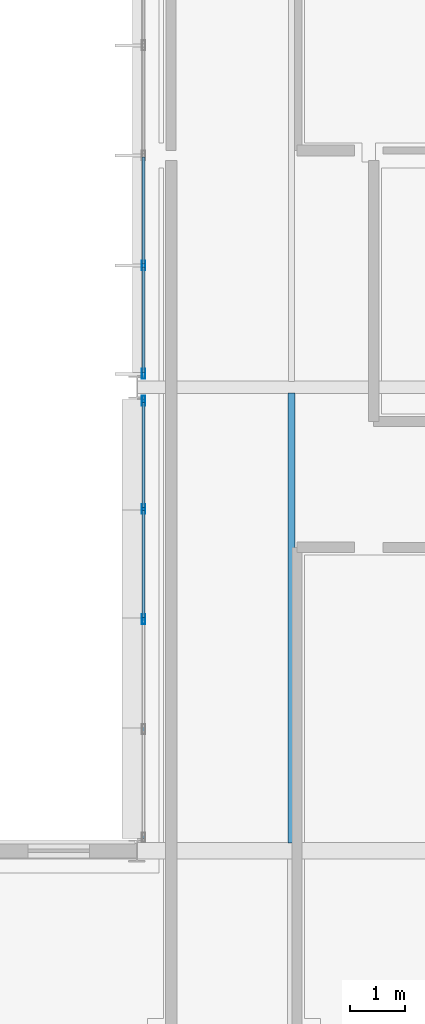
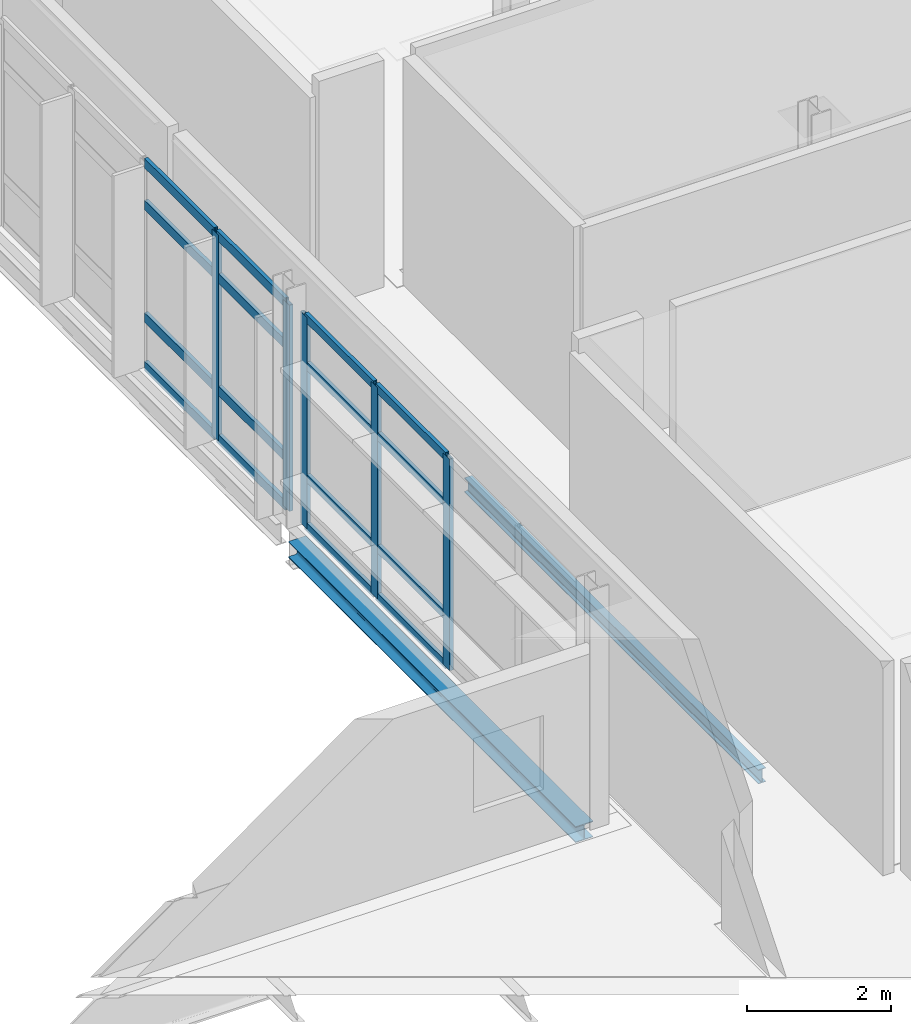
# One storey, part 67 of 151: 21 members, 2 beams, 2 elements without a shape of their own.
"""IFC4 building model written with IfcOpenShell, lengths in metres."""

from ifc_helpers import new_model, si_unit, direction, frame, origin, origin_2d, place, context, subcontext, project, spatial, hollow_rectangle, i_section, extrude, material, material_profile, profile_set, type_object, element, aggregate, save


model = new_model("IFC4")

# Units and contexts
model_context = context("Model", 3, precision=1e-05, world=origin(), true_north=direction((0.0, 1.0)))
body_context = subcontext(model_context, "Body", "Model", "MODEL_VIEW")
ifc_project = project(units=[si_unit("LENGTHUNIT", "METRE"), si_unit("AREAUNIT", "SQUARE_METRE"), si_unit("VOLUMEUNIT", "CUBIC_METRE"), si_unit("PLANEANGLEUNIT", "RADIAN"), si_unit("MASSUNIT", "GRAM", prefix="KILO")], contexts=[model_context])

# Site, building, storey
site_placement = place(None, origin())
site = spatial("IfcSite", under=ifc_project, at=site_placement, CompositionType="ELEMENT")
building_placement = place(site_placement, origin())
building = spatial("IfcBuilding", under=site, at=building_placement, Name="Mersafa Astral City Hall", CompositionType="ELEMENT")
storey_placement = place(building_placement, frame((0.0, 0.0, 9.89990234375)))
storey = spatial("IfcBuildingStorey", under=building, at=storey_placement, Name="L02", CompositionType="ELEMENT", Elevation=9.89990234375)

# Curtain wall, members
ifc_material_1 = material(Name="Anodised bronze aluminium framing", Category="aluminium")
curtain_wall_type_1 = type_object("IfcCurtainWallType", Name="ENV-CW-5", PredefinedType="USERDEFINED", material=ifc_material_1)
curtain_wall_1_placement = place(storey_placement, origin())
curtain_wall_1 = element("IfcCurtainWall", 1, at=curtain_wall_1_placement, inside=storey, type_object=curtain_wall_type_1, Name="L02 Unitised solar curtain wall 142", ObjectType="UNITISED CURTAIN WALL", PredefinedType="USERDEFINED")
ifc_material_profile_1 = material_profile(ifc_material_1, hollow_rectangle(XDim=0.06005859375, YDim=0.179931640625, WallThickness=0.00390625, at=origin_2d()), Name="RHS 60x180x4")
ifc_profile_set_1 = profile_set([ifc_material_profile_1], Name="Anodised bronze aluminium framing")
member_type_1 = type_object("IfcMemberType", Name="ENV-CW-MUL-1", PredefinedType="MULLION", material=ifc_profile_set_1)
member_1_placement = place(storey_placement, frame((100.919921875, 103.006103515625, -0.001953125), z_axis=(0.0, 0.0, 1.0), x_axis=(1.0, 0.0, 0.0)))
member_1 = element("IfcMember", 2, at=member_1_placement, type_object=member_type_1, Name="CW-5 mullion 4", PredefinedType="MULLION", context=body_context, shape_type="SweptSolid", body=[
    extrude(hollow_rectangle(XDim=0.06005859375, YDim=0.179931640625, WallThickness=0.00390625, at=origin_2d()), origin(), (0.0, 0.0, 1.0), 3.489013671875),
])
member_2_placement = place(storey_placement, frame((100.919921875, 101.0419921875, -0.001953125), z_axis=(0.0, 0.0, 1.0), x_axis=(1.0, 0.0, 0.0)))
member_2 = element("IfcMember", 3, at=member_2_placement, type_object=member_type_1, Name="CW-5 mullion 5", PredefinedType="MULLION", context=body_context, shape_type="SweptSolid", body=[
    extrude(hollow_rectangle(XDim=0.06005859375, YDim=0.179931640625, WallThickness=0.00390625, at=origin_2d()), origin(), (0.0, 0.0, 1.0), 3.489013671875),
])

curtain_wall_type_2 = type_object("IfcCurtainWallType", Name="ENV-CW-6", PredefinedType="USERDEFINED", material=ifc_material_1)
curtain_wall_2_placement = place(storey_placement, origin())
curtain_wall_2 = element("IfcCurtainWall", 4, at=curtain_wall_2_placement, inside=storey, type_object=curtain_wall_type_2, Name="L02 Unitised solar curtain wall 143", ObjectType="UNITISED CURTAIN WALL", PredefinedType="USERDEFINED")
member_3_placement = place(storey_placement, frame((100.919921875, 100.55810546875, -0.001953125), z_axis=(0.0, 0.0, 1.0), x_axis=(1.0, 0.0, 0.0)))
member_3 = element("IfcMember", 5, at=member_3_placement, type_object=member_type_1, Name="CW-6 mullion 1", PredefinedType="MULLION", context=body_context, shape_type="SweptSolid", body=[
    extrude(hollow_rectangle(XDim=0.06005859375, YDim=0.179931640625, WallThickness=0.00390625, at=origin_2d()), origin(), (0.0, 0.0, 1.0), 3.5791015625),
])
member_4_placement = place(storey_placement, frame((100.919921875, 98.593994140625, -0.001953125), z_axis=(0.0, 0.0, 1.0), x_axis=(1.0, 0.0, 0.0)))
member_4 = element("IfcMember", 6, at=member_4_placement, type_object=member_type_1, Name="CW-6 mullion 2", PredefinedType="MULLION", context=body_context, shape_type="SweptSolid", body=[
    extrude(hollow_rectangle(XDim=0.06005859375, YDim=0.179931640625, WallThickness=0.00390625, at=origin_2d()), origin(), (0.0, 0.0, 1.0), 3.5791015625),
])
member_5_placement = place(storey_placement, frame((100.919921875, 96.60009765625, -0.001953125), z_axis=(0.0, 0.0, 1.0), x_axis=(1.0, 0.0, 0.0)))
member_5 = element("IfcMember", 7, at=member_5_placement, type_object=member_type_1, Name="CW-6 mullion 3", PredefinedType="MULLION", context=body_context, shape_type="SweptSolid", body=[
    extrude(hollow_rectangle(XDim=0.06005859375, YDim=0.179931640625, WallThickness=0.00390625, at=origin_2d()), origin(), (0.0, 0.0, 1.0), 3.5791015625),
])
ifc_material_profile_2 = material_profile(ifc_material_1, hollow_rectangle(XDim=0.06005859375, YDim=0.139892578125, WallThickness=0.00390625, at=origin_2d()), Name="RHS 60x140x4")
ifc_profile_set_2 = profile_set([ifc_material_profile_2], Name="Anodised bronze aluminium framing")
member_type_2 = type_object("IfcMemberType", Name="ENV-CW-TRN-1", PredefinedType="USERDEFINED", material=ifc_profile_set_2)
member_6_placement = place(storey_placement, frame((100.919921875, 100.528076171875, 0.028076171875), z_axis=(0.0, -1.0, 0.0), x_axis=(1.0, 0.0, 0.0)))
member_6 = element("IfcMember", 8, at=member_6_placement, type_object=member_type_2, Name="CW-6 transom 1.1", ObjectType="TRANSOM", PredefinedType="USERDEFINED", context=body_context, shape_type="SweptSolid", body=[
    extrude(hollow_rectangle(XDim=0.06005859375, YDim=0.139892578125, WallThickness=0.00390625, at=origin_2d()), origin(), (0.0, 0.0, 1.0), 1.904052734375),
])
member_7_placement = place(storey_placement, frame((100.919921875, 100.528076171875, 0.85009765625), z_axis=(0.0, -1.0, 0.0), x_axis=(1.0, 0.0, 0.0)))
member_7 = element("IfcMember", 9, at=member_7_placement, type_object=member_type_2, Name="CW-6 transom 1.2", ObjectType="TRANSOM", PredefinedType="USERDEFINED", context=body_context, shape_type="SweptSolid", body=[
    extrude(hollow_rectangle(XDim=0.06005859375, YDim=0.139892578125, WallThickness=0.00390625, at=origin_2d()), origin(), (0.0, 0.0, 1.0), 1.904052734375),
])
member_8_placement = place(storey_placement, frame((100.919921875, 100.528076171875, 2.75), z_axis=(0.0, -1.0, 0.0), x_axis=(1.0, 0.0, 0.0)))
member_8 = element("IfcMember", 10, at=member_8_placement, type_object=member_type_2, Name="CW-6 transom 1.3", ObjectType="TRANSOM", PredefinedType="USERDEFINED", context=body_context, shape_type="SweptSolid", body=[
    extrude(hollow_rectangle(XDim=0.06005859375, YDim=0.139892578125, WallThickness=0.00390625, at=origin_2d()), origin(), (0.0, 0.0, 1.0), 1.904052734375),
])
member_9_placement = place(storey_placement, frame((100.919921875, 100.528076171875, 3.547119140625), z_axis=(0.0, -1.0, 0.0), x_axis=(1.0, 0.0, 0.0)))
member_9 = element("IfcMember", 11, at=member_9_placement, type_object=member_type_2, Name="CW-6 transom 1.4", ObjectType="TRANSOM", PredefinedType="USERDEFINED", context=body_context, shape_type="SweptSolid", body=[
    extrude(hollow_rectangle(XDim=0.06005859375, YDim=0.139892578125, WallThickness=0.00390625, at=origin_2d()), origin(), (0.0, 0.0, 1.0), 1.904052734375),
])
member_10_placement = place(storey_placement, frame((100.919921875, 98.56396484375, 0.028076171875), z_axis=(0.0, -1.0, 0.0), x_axis=(1.0, 0.0, 0.0)))
member_10 = element("IfcMember", 12, at=member_10_placement, type_object=member_type_2, Name="CW-6 transom 2.1", ObjectType="TRANSOM", PredefinedType="USERDEFINED", context=body_context, shape_type="SweptSolid", body=[
    extrude(hollow_rectangle(XDim=0.06005859375, YDim=0.139892578125, WallThickness=0.00390625, at=origin_2d()), origin(), (0.0, 0.0, 1.0), 1.93408203125),
])
member_11_placement = place(storey_placement, frame((100.919921875, 98.56396484375, 0.85009765625), z_axis=(0.0, -1.0, 0.0), x_axis=(1.0, 0.0, 0.0)))
member_11 = element("IfcMember", 13, at=member_11_placement, type_object=member_type_2, Name="CW-6 transom 2.2", ObjectType="TRANSOM", PredefinedType="USERDEFINED", context=body_context, shape_type="SweptSolid", body=[
    extrude(hollow_rectangle(XDim=0.06005859375, YDim=0.139892578125, WallThickness=0.00390625, at=origin_2d()), origin(), (0.0, 0.0, 1.0), 1.93408203125),
])
member_12_placement = place(storey_placement, frame((100.919921875, 98.56396484375, 2.75), z_axis=(0.0, -1.0, 0.0), x_axis=(1.0, 0.0, 0.0)))
member_12 = element("IfcMember", 14, at=member_12_placement, type_object=member_type_2, Name="CW-6 transom 2.3", ObjectType="TRANSOM", PredefinedType="USERDEFINED", context=body_context, shape_type="SweptSolid", body=[
    extrude(hollow_rectangle(XDim=0.06005859375, YDim=0.139892578125, WallThickness=0.00390625, at=origin_2d()), origin(), (0.0, 0.0, 1.0), 1.93408203125),
])
member_13_placement = place(storey_placement, frame((100.919921875, 98.56396484375, 3.547119140625), z_axis=(0.0, -1.0, 0.0), x_axis=(1.0, 0.0, 0.0)))
member_13 = element("IfcMember", 15, at=member_13_placement, type_object=member_type_2, Name="CW-6 transom 2.4", ObjectType="TRANSOM", PredefinedType="USERDEFINED", context=body_context, shape_type="SweptSolid", body=[
    extrude(hollow_rectangle(XDim=0.06005859375, YDim=0.139892578125, WallThickness=0.00390625, at=origin_2d()), origin(), (0.0, 0.0, 1.0), 1.93408203125),
])
aggregate(curtain_wall_2, [member_3, member_4, member_5, member_6, member_7, member_8, member_9, member_10, member_11, member_12, member_13])

# Member
ifc_material_profile_3 = material_profile(ifc_material_1, hollow_rectangle(XDim=0.06005859375, YDim=0.159912109375, WallThickness=0.00390625, at=origin_2d()), Name="RHS 60x160x4")
ifc_profile_set_3 = profile_set([ifc_material_profile_3], Name="Anodised bronze aluminium framing")
member_type_3 = type_object("IfcMemberType", Name="ENV-CW-TRN-2", PredefinedType="USERDEFINED", material=ifc_profile_set_3)
member_14_placement = place(storey_placement, frame((100.919921875, 104.969970703125, 0.028076171875), z_axis=(0.0, -1.0, 0.0), x_axis=(1.0, 0.0, 0.0)))
member_14 = element("IfcMember", 16, at=member_14_placement, type_object=member_type_3, Name="CW-5 transom 3.1", ObjectType="TRANSOM", PredefinedType="USERDEFINED", context=body_context, shape_type="SweptSolid", body=[
    extrude(hollow_rectangle(XDim=0.06005859375, YDim=0.159912109375, WallThickness=0.00390625, at=origin_2d()), origin(), (0.0, 0.0, 1.0), 1.93408203125),
])

member_15_placement = place(storey_placement, frame((100.919921875, 104.969970703125, 0.85009765625), z_axis=(0.0, -1.0, 0.0), x_axis=(1.0, 0.0, 0.0)))
member_15 = element("IfcMember", 17, at=member_15_placement, type_object=member_type_3, Name="CW-5 transom 3.2", ObjectType="TRANSOM", PredefinedType="USERDEFINED", context=body_context, shape_type="SweptSolid", body=[
    extrude(hollow_rectangle(XDim=0.06005859375, YDim=0.159912109375, WallThickness=0.00390625, at=origin_2d()), origin(), (0.0, 0.0, 1.0), 1.93408203125),
])

member_16_placement = place(storey_placement, frame((100.919921875, 104.969970703125, 2.75), z_axis=(0.0, -1.0, 0.0), x_axis=(1.0, 0.0, 0.0)))
member_16 = element("IfcMember", 18, at=member_16_placement, type_object=member_type_3, Name="CW-5 transom 3.3", ObjectType="TRANSOM", PredefinedType="USERDEFINED", context=body_context, shape_type="SweptSolid", body=[
    extrude(hollow_rectangle(XDim=0.06005859375, YDim=0.159912109375, WallThickness=0.00390625, at=origin_2d()), origin(), (0.0, 0.0, 1.0), 1.93408203125),
])

member_17_placement = place(storey_placement, frame((100.919921875, 104.969970703125, 3.45703125), z_axis=(0.0, -1.0, 0.0), x_axis=(1.0, 0.0, 0.0)))
member_17 = element("IfcMember", 19, at=member_17_placement, type_object=member_type_3, Name="CW-5 transom 3.4", ObjectType="TRANSOM", PredefinedType="USERDEFINED", context=body_context, shape_type="SweptSolid", body=[
    extrude(hollow_rectangle(XDim=0.06005859375, YDim=0.159912109375, WallThickness=0.00390625, at=origin_2d()), origin(), (0.0, 0.0, 1.0), 1.93408203125),
])

member_18_placement = place(storey_placement, frame((100.919921875, 102.97607421875, 0.028076171875), z_axis=(0.0, -1.0, 0.0), x_axis=(1.0, 0.0, 0.0)))
member_18 = element("IfcMember", 20, at=member_18_placement, type_object=member_type_3, Name="CW-5 transom 4.1", ObjectType="TRANSOM", PredefinedType="USERDEFINED", context=body_context, shape_type="SweptSolid", body=[
    extrude(hollow_rectangle(XDim=0.06005859375, YDim=0.159912109375, WallThickness=0.00390625, at=origin_2d()), origin(), (0.0, 0.0, 1.0), 1.904052734375),
])

member_19_placement = place(storey_placement, frame((100.919921875, 102.97607421875, 0.85009765625), z_axis=(0.0, -1.0, 0.0), x_axis=(1.0, 0.0, 0.0)))
member_19 = element("IfcMember", 21, at=member_19_placement, type_object=member_type_3, Name="CW-5 transom 4.2", ObjectType="TRANSOM", PredefinedType="USERDEFINED", context=body_context, shape_type="SweptSolid", body=[
    extrude(hollow_rectangle(XDim=0.06005859375, YDim=0.159912109375, WallThickness=0.00390625, at=origin_2d()), origin(), (0.0, 0.0, 1.0), 1.904052734375),
])

member_20_placement = place(storey_placement, frame((100.919921875, 102.97607421875, 2.75), z_axis=(0.0, -1.0, 0.0), x_axis=(1.0, 0.0, 0.0)))
member_20 = element("IfcMember", 22, at=member_20_placement, type_object=member_type_3, Name="CW-5 transom 4.3", ObjectType="TRANSOM", PredefinedType="USERDEFINED", context=body_context, shape_type="SweptSolid", body=[
    extrude(hollow_rectangle(XDim=0.06005859375, YDim=0.159912109375, WallThickness=0.00390625, at=origin_2d()), origin(), (0.0, 0.0, 1.0), 1.904052734375),
])

member_21_placement = place(storey_placement, frame((100.919921875, 102.97607421875, 3.45703125), z_axis=(0.0, -1.0, 0.0), x_axis=(1.0, 0.0, 0.0)))
member_21 = element("IfcMember", 23, at=member_21_placement, type_object=member_type_3, Name="CW-5 transom 4.4", ObjectType="TRANSOM", PredefinedType="USERDEFINED", context=body_context, shape_type="SweptSolid", body=[
    extrude(hollow_rectangle(XDim=0.06005859375, YDim=0.159912109375, WallThickness=0.00390625, at=origin_2d()), origin(), (0.0, 0.0, 1.0), 1.904052734375),
])

aggregate(curtain_wall_1, [member_1, member_2, member_14, member_15, member_16, member_17, member_18, member_19, member_20, member_21])

# Beams
ifc_material_2 = material(Name="Steel S355", Category="steel")
ifc_material_profile_4 = material_profile(ifc_material_2, i_section(OverallWidth=0.1201171875, OverallDepth=0.239990234375, WebThickness=0.006103515625, FlangeThickness=0.009765625, FilletRadius=0.014892578125, at=origin_2d()), Name="IPE 240")
ifc_profile_set_4 = profile_set([ifc_material_profile_4], Name="Steel S355")
beam_type_1 = type_object("IfcBeamType", Name="STR-BM-JOIST-IPE240", PredefinedType="JOIST", material=ifc_profile_set_4)
beam_1_placement = place(storey_placement, frame((103.60009765625, 92.544921875, -0.31982421875), z_axis=(0.0, 1.0, 0.0), x_axis=(-1.0, 0.0, 0.0)))
element("IfcBeam", 24, at=beam_1_placement, inside=storey, type_object=beam_type_1, Name="L02 Composite secondary floor joist 462", PredefinedType="JOIST", context=body_context, shape_type="SweptSolid", body=[
    extrude(i_section(OverallWidth=0.1201171875, OverallDepth=0.239990234375, WebThickness=0.006103515625, FlangeThickness=0.009765625, FilletRadius=0.014892578125, at=origin_2d()), origin(), (0.0, 0.0, 1.0), 8.150146484375),
])
ifc_material_profile_5 = material_profile(ifc_material_2, i_section(OverallWidth=0.280029296875, OverallDepth=0.27001953125, WebThickness=0.008056640625, FlangeThickness=0.012939453125, FilletRadius=0.02392578125, at=origin_2d()), Name="HEA 280")
ifc_profile_set_5 = profile_set([ifc_material_profile_5], Name="Steel S355")
beam_type_2 = type_object("IfcBeamType", Name="STR-BM-SPANDREL-HEA280", PredefinedType="SPANDREL", material=ifc_profile_set_5)
beam_2_placement = place(storey_placement, frame((100.800048828125, 92.6201171875, -0.3349609375), z_axis=(0.0, 1.0, 0.0), x_axis=(-1.0, 0.0, 0.0)))
element("IfcBeam", 25, at=beam_2_placement, inside=storey, type_object=beam_type_2, Name="L02 Primary girder Y 12-11", PredefinedType="SPANDREL", context=body_context, shape_type="SweptSolid", body=[
    extrude(i_section(OverallWidth=0.280029296875, OverallDepth=0.27001953125, WebThickness=0.008056640625, FlangeThickness=0.012939453125, FilletRadius=0.02392578125, at=origin_2d()), origin(), (0.0, 0.0, 1.0), 7.9599609375),
])

save(model, "model.ifc")
